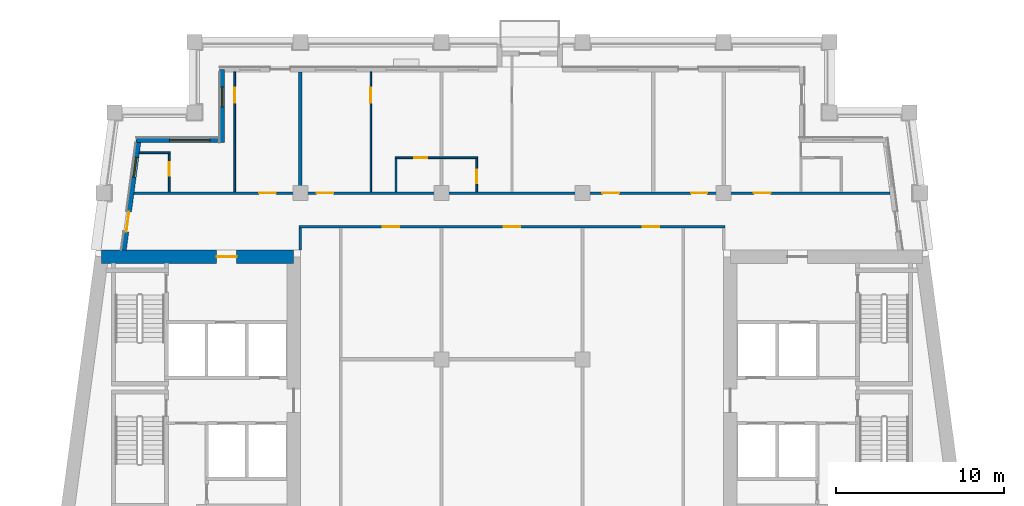
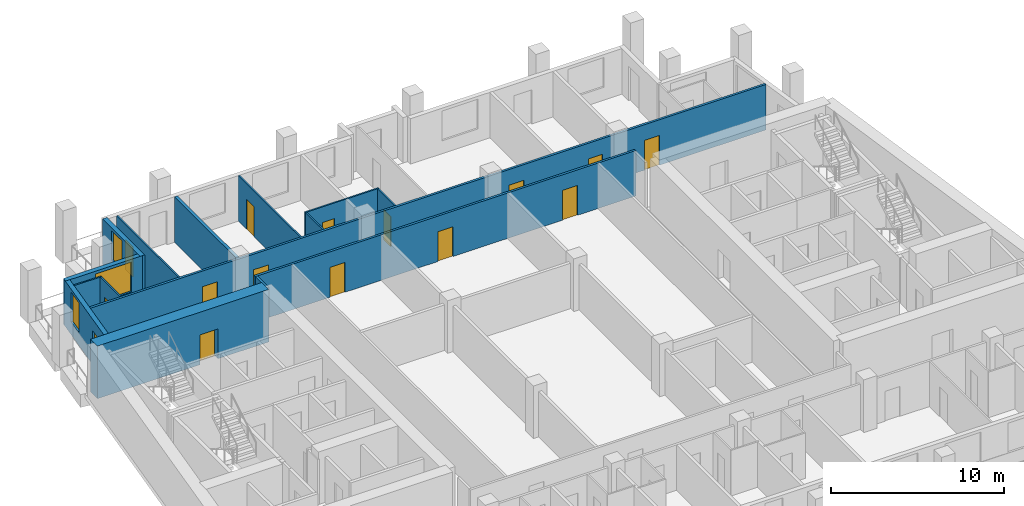
# One storey, part 6 of 13: 15 doors, 15 walls, 3 windows, 18 openings.
"""IFC4 building model written with IfcOpenShell, lengths in metres."""

from ifc_helpers import new_model, si_unit, direction, frame, frame_2d, origin, place, context, subcontext, project, spatial, rectangle, extrude, material, layer, layer_set, type_object, element, fill, save


model = new_model("IFC4")

# Units and contexts
model_context = context("Model", 3, precision=1e-05, world=origin(), true_north=direction((0.0, 1.0)))
body_context = subcontext(model_context, "Body", "Model", "MODEL_VIEW")
ifc_project = project(units=[si_unit("LENGTHUNIT", "METRE"), si_unit("AREAUNIT", "SQUARE_METRE"), si_unit("VOLUMEUNIT", "CUBIC_METRE"), si_unit("PLANEANGLEUNIT", "RADIAN"), si_unit("MASSUNIT", "GRAM", prefix="KILO")], contexts=[model_context])

# Site, building, storey
site_placement = place(None, origin())
site = spatial("IfcSite", under=ifc_project, at=site_placement, CompositionType="ELEMENT")
building_placement = place(site_placement, origin())
building = spatial("IfcBuilding", under=site, at=building_placement, Name="Candeia Pilgrim Tower and Theatre", CompositionType="ELEMENT")
storey_placement = place(building_placement, frame((0.0, 0.0, 242.89990234375)))
storey = spatial("IfcBuildingStorey", under=building, at=storey_placement, Name="L59", CompositionType="ELEMENT", Elevation=242.89990234375)

# Wall, opening, door
ifc_material_1 = material(Name="Concrete C50/60", Category="concrete")
ifc_layer_1 = layer(ifc_material_1, 0.800048828125)
ifc_layer_set_1 = layer_set([ifc_layer_1], Name="Core wall 800 C50/60")
wall_type_1 = type_object("IfcWallType", Name="Core wall 800 C50/60", PredefinedType="SHEAR", material=ifc_layer_set_1)
wall_1_placement = place(storey_placement, frame((88.98046875, 132.0, 0.0), z_axis=(0.0, 0.0, 1.0), x_axis=(1.0, 0.0, 0.0)))
wall_1 = element("IfcWall", 1, at=wall_1_placement, inside=storey, type_object=wall_type_1, Name="Core wall W1", PredefinedType="SHEAR", context=body_context, shape_type="SweptSolid", body=[
    extrude(rectangle(XDim=11.41943359375, YDim=0.800048828125, at=frame_2d((5.709716796875, 0.0))), origin(), (0.0, 0.0, 1.0), 3.7001953125),
])
opening_1_placement = place(wall_1_placement, frame((6.8330078125, 0.0, 0.0)))
opening_1 = element("IfcOpeningElement", 2, at=opening_1_placement, cuts=wall_1, Name="Opening L59-D057", PredefinedType="OPENING", context=body_context, shape_type="SweptSolid", body=[
    extrude(rectangle(XDim=1.199951171875, YDim=2.10009765625, at=frame_2d((0.60009765625, 1.050048828125))), frame((0.0, 0.41015625, 0.0), z_axis=(0.0, -1.0, 0.0), x_axis=(1.0, 0.0, 0.0)), (0.0, 0.0, 1.0), 0.820068359375),
])
ifc_material_2 = material(Name="Steel fire door set", Category="steel")
door_type_1 = type_object("IfcDoorType", Name="D-1200-FD60", OperationType="NOTDEFINED", PredefinedType="DOOR", material=ifc_material_2)
door_1_placement = place(opening_1_placement, origin())
door_1 = element("IfcDoor", 3, at=door_1_placement, inside=storey, type_object=door_type_1, Name="Door L59-D057", OperationType="SINGLE_SWING_RIGHT", OverallHeight=2.10009765625, OverallWidth=1.199951171875, PredefinedType="DOOR", context=body_context, shape_type="SweptSolid", body=[
    extrude(rectangle(XDim=1.199951171875, YDim=2.10009765625, at=frame_2d((0.60009765625, 1.050048828125))), frame((0.0, 0.02490234375, 0.0), z_axis=(0.0, -1.0, 0.0), x_axis=(1.0, 0.0, 0.0)), (0.0, 0.0, 1.0), 0.050048828125),
])
fill(opening_1, door_1)

# Wall, opening, window
ifc_material_3 = material(Name="Ceramic block masonry", Category="masonry")
ifc_layer_2 = layer(ifc_material_3, 0.300048828125)
ifc_layer_set_2 = layer_set([ifc_layer_2], Name="EW1 glazing-line wall 300")
wall_type_2 = type_object("IfcWallType", Name="EW1 glazing-line wall 300", PredefinedType="SOLIDWALL", material=ifc_layer_set_2)
wall_2_placement = place(storey_placement, frame((96.14990234375, 143.14990234375, 0.0), z_axis=(0.0, 0.0, 1.0), x_axis=(0.0, -1.0, 0.0)))
wall_2 = element("IfcWall", 4, at=wall_2_placement, inside=storey, type_object=wall_type_2, Name="External wall L59-7.0", PredefinedType="SOLIDWALL", context=body_context, shape_type="SweptSolid", body=[
    extrude(rectangle(XDim=4.349853515625, YDim=0.300048828125, at=frame_2d((2.1748046875, 0.0))), origin(), (0.0, 0.0, 1.0), 3.2001953125),
])
opening_2_placement = place(wall_2_placement, frame((1.02490234375, 0.0, 0.89990234375)))
opening_2 = element("IfcOpeningElement", 5, at=opening_2_placement, cuts=wall_2, Name="Opening W-B", PredefinedType="OPENING", context=body_context, shape_type="SweptSolid", body=[
    extrude(rectangle(XDim=1.199951171875, YDim=2.10009765625, at=frame_2d((0.60009765625, 1.050048828125))), frame((0.0, 0.16015625, 0.0), z_axis=(0.0, -1.0, 0.0), x_axis=(1.0, 0.0, 0.0)), (0.0, 0.0, 1.0), 0.320068359375),
])
ifc_material_4 = material(Name="Aluminium framed double glazing", Category="aluminium")
window_type_1 = type_object("IfcWindowType", Name="W-B window 1200x2100", PartitioningType="SINGLE_PANEL", PredefinedType="WINDOW", material=ifc_material_4)
window_1_placement = place(opening_2_placement, origin())
window_1 = element("IfcWindow", 6, at=window_1_placement, inside=storey, type_object=window_type_1, Name="Window W-B L59", OverallHeight=2.10009765625, OverallWidth=1.199951171875, PartitioningType="SINGLE_PANEL", PredefinedType="WINDOW", context=body_context, shape_type="SweptSolid", body=[
    extrude(rectangle(XDim=1.199951171875, YDim=2.10009765625, at=frame_2d((0.60009765625, 1.050048828125))), frame((0.0, 0.030029296875, 0.0), z_axis=(0.0, -1.0, 0.0), x_axis=(1.0, 0.0, 0.0)), (0.0, 0.0, 1.0), 0.06005859375),
])
fill(opening_2, window_1)

wall_3_placement = place(storey_placement, frame((96.14990234375, 138.949951171875, 0.0), z_axis=(0.0, 0.0, 1.0), x_axis=(-1.0, 0.0, 0.0)))
wall_3 = element("IfcWall", 7, at=wall_3_placement, inside=storey, type_object=wall_type_2, Name="External wall L59-8.0", PredefinedType="SOLIDWALL", context=body_context, shape_type="SweptSolid", body=[
    extrude(rectangle(XDim=5.103759765625, YDim=0.300048828125, at=frame_2d((2.5517578125, 0.0))), origin(), (0.0, 0.0, 1.0), 3.2001953125),
])
opening_3_placement = place(wall_3_placement, frame((0.72509765625, 0.0, 0.89990234375)))
opening_3 = element("IfcOpeningElement", 8, at=opening_3_placement, cuts=wall_3, Name="Opening W-A", PredefinedType="OPENING", context=body_context, shape_type="SweptSolid", body=[
    extrude(rectangle(XDim=2.39990234375, YDim=2.10009765625, at=frame_2d((1.199951171875, 1.050048828125))), frame((0.0, 0.16015625, 0.0), z_axis=(0.0, -1.0, 0.0), x_axis=(1.0, 0.0, 0.0)), (0.0, 0.0, 1.0), 0.320068359375),
])
window_type_2 = type_object("IfcWindowType", Name="W-A window 2400x2100", PartitioningType="DOUBLE_PANEL_VERTICAL", PredefinedType="WINDOW", material=ifc_material_4)
window_2_placement = place(opening_3_placement, origin())
window_2 = element("IfcWindow", 9, at=window_2_placement, inside=storey, type_object=window_type_2, Name="Window W-A L59", OverallHeight=2.10009765625, OverallWidth=2.39990234375, PartitioningType="SINGLE_PANEL", PredefinedType="WINDOW", context=body_context, shape_type="SweptSolid", body=[
    extrude(rectangle(XDim=2.39990234375, YDim=2.10009765625, at=frame_2d((1.199951171875, 1.050048828125))), frame((0.0, 0.030029296875, 0.0), z_axis=(0.0, -1.0, 0.0), x_axis=(1.0, 0.0, 0.0)), (0.0, 0.0, 1.0), 0.06005859375),
])
fill(opening_3, window_2)

# Wall, openings, door, window
wall_4_placement = place(storey_placement, frame((91.177490234375, 138.949951171875, 0.0), z_axis=(0.0, 0.0, 1.0), x_axis=(-0.133426664613, -0.991058689065, 0.0)))
wall_4 = element("IfcWall", 10, at=wall_4_placement, inside=storey, type_object=wall_type_2, Name="External wall L59-9.0", PredefinedType="SOLIDWALL", context=body_context, shape_type="SweptSolid", body=[
    extrude(rectangle(XDim=6.609130859375, YDim=0.300048828125, at=frame_2d((3.3046875, 0.0))), origin(), (0.0, 0.0, 1.0), 3.2001953125),
])
opening_4_placement = place(wall_4_placement, frame((1.039306640625, 0.0, 0.89990234375)))
opening_4 = element("IfcOpeningElement", 11, at=opening_4_placement, cuts=wall_4, Name="Opening W-B", PredefinedType="OPENING", context=body_context, shape_type="SweptSolid", body=[
    extrude(rectangle(XDim=1.199951171875, YDim=2.10009765625, at=frame_2d((0.60009765625, 1.050048828125))), frame((0.0, 0.16015625, 0.0), z_axis=(0.0, -1.0, 0.0), x_axis=(1.0, 0.0, 0.0)), (0.0, 0.0, 1.0), 0.320068359375),
])
opening_5_placement = place(wall_4_placement, frame((4.293701171875, 0.0, 0.0)))
opening_5 = element("IfcOpeningElement", 12, at=opening_5_placement, cuts=wall_4, Name="Opening L59-ED574", PredefinedType="OPENING", context=body_context, shape_type="SweptSolid", body=[
    extrude(rectangle(XDim=1.199951171875, YDim=2.39990234375, at=frame_2d((0.60009765625, 1.199951171875))), frame((0.0, 0.16015625, 0.0), z_axis=(0.0, -1.0, 0.0), x_axis=(1.0, 0.0, 0.0)), (0.0, 0.0, 1.0), 0.320068359375),
])
ifc_material_5 = material(Name="Aluminium framed glazed door", Category="aluminium")
door_type_2 = type_object("IfcDoorType", Name="Loggia door 1200x2400", OperationType="DOUBLE_DOOR_SINGLE_SWING", PredefinedType="DOOR", material=ifc_material_5)
door_2_placement = place(opening_5_placement, origin())
door_2 = element("IfcDoor", 13, at=door_2_placement, inside=storey, type_object=door_type_2, Name="Loggia door L59-ED574", OperationType="DOUBLE_DOOR_SINGLE_SWING", OverallHeight=2.39990234375, OverallWidth=1.199951171875, PredefinedType="DOOR", context=body_context, shape_type="SweptSolid", body=[
    extrude(rectangle(XDim=1.199951171875, YDim=2.39990234375, at=frame_2d((0.60009765625, 1.199951171875))), frame((0.0, 0.02490234375, 0.0), z_axis=(0.0, -1.0, 0.0), x_axis=(1.0, 0.0, 0.0)), (0.0, 0.0, 1.0), 0.050048828125),
])
fill(opening_5, door_2)
window_3_placement = place(opening_4_placement, origin())
window_3 = element("IfcWindow", 14, at=window_3_placement, inside=storey, type_object=window_type_1, Name="Window W-B L59", OverallHeight=2.10009765625, OverallWidth=1.199951171875, PartitioningType="SINGLE_PANEL", PredefinedType="WINDOW", context=body_context, shape_type="SweptSolid", body=[
    extrude(rectangle(XDim=1.199951171875, YDim=2.10009765625, at=frame_2d((0.60009765625, 1.050048828125))), frame((0.0, 0.030029296875, 0.0), z_axis=(0.0, -1.0, 0.0), x_axis=(1.0, 0.0, 0.0)), (0.0, 0.0, 1.0), 0.06005859375),
])
fill(opening_4, window_3)

# Wall, opening, door
ifc_material_6 = material(Name="Gypsum board partition on steel studs", Category="steel")
ifc_layer_3 = layer(ifc_material_6, 0.10009765625)
ifc_layer_set_3 = layer_set([ifc_layer_3], Name="PW-100 room partition")
wall_type_3 = type_object("IfcWallType", Name="PW-100 room partition", PredefinedType="PARTITIONING", material=ifc_layer_set_3)
wall_5_placement = place(storey_placement, frame((106.449951171875, 137.89990234375, 0.0), z_axis=(0.0, 0.0, 1.0), x_axis=(1.0, 0.0, 0.0)))
wall_5 = element("IfcWall", 15, at=wall_5_placement, inside=storey, type_object=wall_type_3, Name="Room partition L59-044", PredefinedType="PARTITIONING", context=body_context, shape_type="SweptSolid", body=[
    extrude(rectangle(XDim=4.900146484375, YDim=0.10009765625, at=frame_2d((2.4501953125, 0.0))), origin(), (0.0, 0.0, 1.0), 3.2001953125),
])
opening_6_placement = place(wall_5_placement, frame((1.1201171875, 0.0, 0.0)))
opening_6 = element("IfcOpeningElement", 16, at=opening_6_placement, cuts=wall_5, Name="Opening L59-D041", PredefinedType="OPENING", context=body_context, shape_type="SweptSolid", body=[
    extrude(rectangle(XDim=0.800048828125, YDim=2.10009765625, at=frame_2d((0.39990234375, 1.050048828125))), frame((0.0, 0.06005859375, 0.0), z_axis=(0.0, -1.0, 0.0), x_axis=(1.0, 0.0, 0.0)), (0.0, 0.0, 1.0), 0.1201171875),
])
ifc_material_7 = material(Name="Timber door leaf", Category="wood")
door_type_3 = type_object("IfcDoorType", Name="D-800", OperationType="NOTDEFINED", PredefinedType="DOOR", material=ifc_material_7)
door_3_placement = place(opening_6_placement, origin())
door_3 = element("IfcDoor", 17, at=door_3_placement, inside=storey, type_object=door_type_3, Name="Door L59-D041", OperationType="SINGLE_SWING_RIGHT", OverallHeight=2.10009765625, OverallWidth=0.800048828125, PredefinedType="DOOR", context=body_context, shape_type="SweptSolid", body=[
    extrude(rectangle(XDim=0.800048828125, YDim=2.10009765625, at=frame_2d((0.39990234375, 1.050048828125))), frame((0.0, 0.02490234375, 0.0), z_axis=(0.0, -1.0, 0.0), x_axis=(1.0, 0.0, 0.0)), (0.0, 0.0, 1.0), 0.050048828125),
])
fill(opening_6, door_3)

# Wall
wall_6_placement = place(storey_placement, frame((91.2177734375, 138.199951171875, 0.0), z_axis=(0.0, 0.0, 1.0), x_axis=(1.0, 0.0, 0.0)))
element("IfcWall", 18, at=wall_6_placement, inside=storey, type_object=wall_type_3, Name="Room partition L59-046", PredefinedType="PARTITIONING", context=body_context, shape_type="SweptSolid", body=[
    extrude(rectangle(XDim=1.832275390625, YDim=0.10009765625, at=frame_2d((0.916015625, 0.0))), origin(), (0.0, 0.0, 1.0), 3.2001953125),
])

# Wall, opening, door
wall_7_placement = place(storey_placement, frame((93.0, 135.875, 0.0), z_axis=(0.0, 0.0, 1.0), x_axis=(0.0, 1.0, 0.0)))
wall_7 = element("IfcWall", 19, at=wall_7_placement, inside=storey, type_object=wall_type_3, Name="Room partition L59-059", PredefinedType="PARTITIONING", context=body_context, shape_type="SweptSolid", body=[
    extrude(rectangle(XDim=2.27490234375, YDim=0.10009765625, at=frame_2d((1.137451171875, 0.0))), origin(), (0.0, 0.0, 1.0), 3.2001953125),
])
opening_7_placement = place(wall_7_placement, frame((0.949951171875, 0.0, 0.0)))
opening_7 = element("IfcOpeningElement", 20, at=opening_7_placement, cuts=wall_7, Name="Opening L59-D038", PredefinedType="OPENING", context=body_context, shape_type="SweptSolid", body=[
    extrude(rectangle(XDim=0.800048828125, YDim=2.10009765625, at=frame_2d((0.39990234375, 1.050048828125))), frame((0.0, 0.06005859375, 0.0), z_axis=(0.0, -1.0, 0.0), x_axis=(1.0, 0.0, 0.0)), (0.0, 0.0, 1.0), 0.1201171875),
])
door_4_placement = place(opening_7_placement, origin())
door_4 = element("IfcDoor", 21, at=door_4_placement, inside=storey, type_object=door_type_3, Name="Door L59-D038", OperationType="SINGLE_SWING_LEFT", OverallHeight=2.10009765625, OverallWidth=0.800048828125, PredefinedType="DOOR", context=body_context, shape_type="SweptSolid", body=[
    extrude(rectangle(XDim=0.800048828125, YDim=2.10009765625, at=frame_2d((0.39990234375, 1.050048828125))), frame((0.0, 0.02490234375, 0.0), z_axis=(0.0, -1.0, 0.0), x_axis=(1.0, 0.0, 0.0)), (0.0, 0.0, 1.0), 0.050048828125),
])
fill(opening_7, door_4)

wall_8_placement = place(storey_placement, frame((96.89990234375, 135.875, 0.0), z_axis=(0.0, 0.0, 1.0), x_axis=(0.0, 1.0, 0.0)))
wall_8 = element("IfcWall", 22, at=wall_8_placement, inside=storey, type_object=wall_type_3, Name="Room partition L59-064", PredefinedType="PARTITIONING", context=body_context, shape_type="SweptSolid", body=[
    extrude(rectangle(XDim=7.135009765625, YDim=0.10009765625, at=frame_2d((3.5673828125, 0.0))), origin(), (0.0, 0.0, 1.0), 3.2001953125),
])
opening_8_placement = place(wall_8_placement, frame((5.2900390625, 0.0, 0.0)))
opening_8 = element("IfcOpeningElement", 23, at=opening_8_placement, cuts=wall_8, Name="Opening L59-D037", PredefinedType="OPENING", context=body_context, shape_type="SweptSolid", body=[
    extrude(rectangle(XDim=0.89990234375, YDim=2.10009765625, at=frame_2d((0.449951171875, 1.050048828125))), frame((0.0, 0.06005859375, 0.0), z_axis=(0.0, -1.0, 0.0), x_axis=(1.0, 0.0, 0.0)), (0.0, 0.0, 1.0), 0.1201171875),
])
door_type_4 = type_object("IfcDoorType", Name="D-900", OperationType="NOTDEFINED", PredefinedType="DOOR", material=ifc_material_7)
door_5_placement = place(opening_8_placement, origin())
door_5 = element("IfcDoor", 24, at=door_5_placement, inside=storey, type_object=door_type_4, Name="Door L59-D037", OperationType="SINGLE_SWING_RIGHT", OverallHeight=2.10009765625, OverallWidth=0.89990234375, PredefinedType="DOOR", context=body_context, shape_type="SweptSolid", body=[
    extrude(rectangle(XDim=0.89990234375, YDim=2.10009765625, at=frame_2d((0.449951171875, 1.050048828125))), frame((0.0, 0.02490234375, 0.0), z_axis=(0.0, -1.0, 0.0), x_axis=(1.0, 0.0, 0.0)), (0.0, 0.0, 1.0), 0.050048828125),
])
fill(opening_8, door_5)

wall_9_placement = place(storey_placement, frame((105.0, 135.875, 0.0), z_axis=(0.0, 0.0, 1.0), x_axis=(0.0, 1.0, 0.0)))
wall_9 = element("IfcWall", 25, at=wall_9_placement, inside=storey, type_object=wall_type_3, Name="Room partition L59-075", PredefinedType="PARTITIONING", context=body_context, shape_type="SweptSolid", body=[
    extrude(rectangle(XDim=7.135009765625, YDim=0.10009765625, at=frame_2d((3.5673828125, 0.0))), origin(), (0.0, 0.0, 1.0), 3.2001953125),
])
opening_9_placement = place(wall_9_placement, frame((5.2900390625, 0.0, 0.0)))
opening_9 = element("IfcOpeningElement", 26, at=opening_9_placement, cuts=wall_9, Name="Opening L59-D040", PredefinedType="OPENING", context=body_context, shape_type="SweptSolid", body=[
    extrude(rectangle(XDim=0.89990234375, YDim=2.10009765625, at=frame_2d((0.449951171875, 1.050048828125))), frame((0.0, 0.06005859375, 0.0), z_axis=(0.0, -1.0, 0.0), x_axis=(1.0, 0.0, 0.0)), (0.0, 0.0, 1.0), 0.1201171875),
])
door_6_placement = place(opening_9_placement, origin())
door_6 = element("IfcDoor", 27, at=door_6_placement, inside=storey, type_object=door_type_4, Name="Door L59-D040", OperationType="SINGLE_SWING_LEFT", OverallHeight=2.10009765625, OverallWidth=0.89990234375, PredefinedType="DOOR", context=body_context, shape_type="SweptSolid", body=[
    extrude(rectangle(XDim=0.89990234375, YDim=2.10009765625, at=frame_2d((0.449951171875, 1.050048828125))), frame((0.0, 0.02490234375, 0.0), z_axis=(0.0, -1.0, 0.0), x_axis=(1.0, 0.0, 0.0)), (0.0, 0.0, 1.0), 0.050048828125),
])
fill(opening_9, door_6)

# Wall
wall_10_placement = place(storey_placement, frame((106.5, 135.875, 0.0), z_axis=(0.0, 0.0, 1.0), x_axis=(0.0, 1.0, 0.0)))
element("IfcWall", 28, at=wall_10_placement, inside=storey, type_object=wall_type_3, Name="Room partition L59-077", PredefinedType="PARTITIONING", context=body_context, shape_type="SweptSolid", body=[
    extrude(rectangle(XDim=1.97509765625, YDim=0.10009765625, at=frame_2d((0.987548828125, 0.0))), origin(), (0.0, 0.0, 1.0), 3.2001953125),
])

# Wall, opening, door
wall_11_placement = place(storey_placement, frame((111.300048828125, 135.875, 0.0), z_axis=(0.0, 0.0, 1.0), x_axis=(0.0, 1.0, 0.0)))
wall_11 = element("IfcWall", 29, at=wall_11_placement, inside=storey, type_object=wall_type_3, Name="Room partition L59-083", PredefinedType="PARTITIONING", context=body_context, shape_type="SweptSolid", body=[
    extrude(rectangle(XDim=1.97509765625, YDim=0.10009765625, at=frame_2d((0.987548828125, 0.0))), origin(), (0.0, 0.0, 1.0), 3.2001953125),
])
opening_10_placement = place(wall_11_placement, frame((0.514892578125, 0.0, 0.0)))
opening_10 = element("IfcOpeningElement", 30, at=opening_10_placement, cuts=wall_11, Name="Opening L59-D044", PredefinedType="OPENING", context=body_context, shape_type="SweptSolid", body=[
    extrude(rectangle(XDim=0.800048828125, YDim=2.10009765625, at=frame_2d((0.39990234375, 1.050048828125))), frame((0.0, 0.06005859375, 0.0), z_axis=(0.0, -1.0, 0.0), x_axis=(1.0, 0.0, 0.0)), (0.0, 0.0, 1.0), 0.1201171875),
])
door_7_placement = place(opening_10_placement, origin())
door_7 = element("IfcDoor", 31, at=door_7_placement, inside=storey, type_object=door_type_3, Name="Door L59-D044", OperationType="SINGLE_SWING_LEFT", OverallHeight=2.10009765625, OverallWidth=0.800048828125, PredefinedType="DOOR", context=body_context, shape_type="SweptSolid", body=[
    extrude(rectangle(XDim=0.800048828125, YDim=2.10009765625, at=frame_2d((0.39990234375, 1.050048828125))), frame((0.0, 0.02490234375, 0.0), z_axis=(0.0, -1.0, 0.0), x_axis=(1.0, 0.0, 0.0)), (0.0, 0.0, 1.0), 0.050048828125),
])
fill(opening_10, door_7)

# Wall, openings, doors
ifc_layer_4 = layer(ifc_material_6, 0.14990234375)
ifc_layer_set_4 = layer_set([ifc_layer_4], Name="PW-150 unit wall")
wall_type_4 = type_object("IfcWallType", Name="PW-150 unit wall", PredefinedType="PARTITIONING", material=ifc_layer_set_4)
wall_12_placement = place(storey_placement, frame((100.72509765625, 133.800048828125, 0.0), z_axis=(0.0, 0.0, 1.0), x_axis=(1.0, 0.0, 0.0)))
wall_12 = element("IfcWall", 32, at=wall_12_placement, inside=storey, type_object=wall_type_4, Name="Unit wall L59-042", PredefinedType="PARTITIONING", context=body_context, shape_type="SweptSolid", body=[
    extrude(rectangle(XDim=25.349853515625, YDim=0.14990234375, at=frame_2d((12.6748046875, 0.0))), origin(), (0.0, 0.0, 1.0), 3.2001953125),
])
opening_11_placement = place(wall_12_placement, frame((4.97509765625, 0.0, 0.0)))
opening_11 = element("IfcOpeningElement", 33, at=opening_11_placement, cuts=wall_12, Name="Opening L59-D051", PredefinedType="OPENING", context=body_context, shape_type="SweptSolid", body=[
    extrude(rectangle(XDim=1.0, YDim=2.10009765625, at=frame_2d((0.5, 1.050048828125))), frame((0.0, 0.0849609375, 0.0), z_axis=(0.0, -1.0, 0.0), x_axis=(1.0, 0.0, 0.0)), (0.0, 0.0, 1.0), 0.169921875),
])
opening_12_placement = place(wall_12_placement, frame((12.175048828125, 0.0, 0.0)))
opening_12 = element("IfcOpeningElement", 34, at=opening_12_placement, cuts=wall_12, Name="Opening L59-D053", PredefinedType="OPENING", context=body_context, shape_type="SweptSolid", body=[
    extrude(rectangle(XDim=1.0, YDim=2.10009765625, at=frame_2d((0.5, 1.050048828125))), frame((0.0, 0.0849609375, 0.0), z_axis=(0.0, -1.0, 0.0), x_axis=(1.0, 0.0, 0.0)), (0.0, 0.0, 1.0), 0.169921875),
])
opening_13_placement = place(wall_12_placement, frame((20.449951171875, 0.0, 0.0)))
opening_13 = element("IfcOpeningElement", 35, at=opening_13_placement, cuts=wall_12, Name="Opening L59-D055", PredefinedType="OPENING", context=body_context, shape_type="SweptSolid", body=[
    extrude(rectangle(XDim=1.0, YDim=2.10009765625, at=frame_2d((0.5, 1.050048828125))), frame((0.0, 0.0849609375, 0.0), z_axis=(0.0, -1.0, 0.0), x_axis=(1.0, 0.0, 0.0)), (0.0, 0.0, 1.0), 0.169921875),
])
door_type_5 = type_object("IfcDoorType", Name="D-1000-FD30S", OperationType="NOTDEFINED", PredefinedType="DOOR", material=ifc_material_2)
door_8_placement = place(opening_11_placement, origin())
door_8 = element("IfcDoor", 36, at=door_8_placement, inside=storey, type_object=door_type_5, Name="Door L59-D051", OperationType="SINGLE_SWING_RIGHT", OverallHeight=2.10009765625, OverallWidth=1.0, PredefinedType="DOOR", context=body_context, shape_type="SweptSolid", body=[
    extrude(rectangle(XDim=1.0, YDim=2.10009765625, at=frame_2d((0.5, 1.050048828125))), frame((0.0, 0.02490234375, 0.0), z_axis=(0.0, -1.0, 0.0), x_axis=(1.0, 0.0, 0.0)), (0.0, 0.0, 1.0), 0.050048828125),
])
fill(opening_11, door_8)
door_9_placement = place(opening_12_placement, origin())
door_9 = element("IfcDoor", 37, at=door_9_placement, inside=storey, type_object=door_type_5, Name="Door L59-D053", OperationType="SINGLE_SWING_RIGHT", OverallHeight=2.10009765625, OverallWidth=1.0, PredefinedType="DOOR", context=body_context, shape_type="SweptSolid", body=[
    extrude(rectangle(XDim=1.0, YDim=2.10009765625, at=frame_2d((0.5, 1.050048828125))), frame((0.0, 0.02490234375, 0.0), z_axis=(0.0, -1.0, 0.0), x_axis=(1.0, 0.0, 0.0)), (0.0, 0.0, 1.0), 0.050048828125),
])
fill(opening_12, door_9)
door_10_placement = place(opening_13_placement, origin())
door_10 = element("IfcDoor", 38, at=door_10_placement, inside=storey, type_object=door_type_5, Name="Door L59-D055", OperationType="SINGLE_SWING_RIGHT", OverallHeight=2.10009765625, OverallWidth=1.0, PredefinedType="DOOR", context=body_context, shape_type="SweptSolid", body=[
    extrude(rectangle(XDim=1.0, YDim=2.10009765625, at=frame_2d((0.5, 1.050048828125))), frame((0.0, 0.02490234375, 0.0), z_axis=(0.0, -1.0, 0.0), x_axis=(1.0, 0.0, 0.0)), (0.0, 0.0, 1.0), 0.050048828125),
])
fill(opening_13, door_10)

wall_13_placement = place(storey_placement, frame((90.89453125, 135.800048828125, 0.0), z_axis=(0.0, 0.0, 1.0), x_axis=(1.0, 0.0, 0.0)))
wall_13 = element("IfcWall", 39, at=wall_13_placement, inside=storey, type_object=wall_type_4, Name="Unit wall L59-043", PredefinedType="PARTITIONING", context=body_context, shape_type="SweptSolid", body=[
    extrude(rectangle(XDim=45.010986328125, YDim=0.14990234375, at=frame_2d((22.50537109375, 0.0))), origin(), (0.0, 0.0, 1.0), 3.2001953125),
])
opening_14_placement = place(wall_13_placement, frame((7.455322265625, 0.0, 0.0)))
opening_14 = element("IfcOpeningElement", 40, at=opening_14_placement, cuts=wall_13, Name="Opening L59-D036", PredefinedType="OPENING", context=body_context, shape_type="SweptSolid", body=[
    extrude(rectangle(XDim=1.0, YDim=2.10009765625, at=frame_2d((0.5, 1.050048828125))), frame((0.0, 0.0849609375, 0.0), z_axis=(0.0, -1.0, 0.0), x_axis=(1.0, 0.0, 0.0)), (0.0, 0.0, 1.0), 0.169921875),
])
opening_15_placement = place(wall_13_placement, frame((10.88037109375, 0.0, 0.0)))
opening_15 = element("IfcOpeningElement", 41, at=opening_15_placement, cuts=wall_13, Name="Opening L59-D039", PredefinedType="OPENING", context=body_context, shape_type="SweptSolid", body=[
    extrude(rectangle(XDim=1.0, YDim=2.10009765625, at=frame_2d((0.5, 1.050048828125))), frame((0.0, 0.0849609375, 0.0), z_axis=(0.0, -1.0, 0.0), x_axis=(1.0, 0.0, 0.0)), (0.0, 0.0, 1.0), 0.169921875),
])
opening_16_placement = place(wall_13_placement, frame((27.88037109375, 0.0, 0.0)))
opening_16 = element("IfcOpeningElement", 42, at=opening_16_placement, cuts=wall_13, Name="Opening L59-D042", PredefinedType="OPENING", context=body_context, shape_type="SweptSolid", body=[
    extrude(rectangle(XDim=1.0, YDim=2.10009765625, at=frame_2d((0.5, 1.050048828125))), frame((0.0, 0.0849609375, 0.0), z_axis=(0.0, -1.0, 0.0), x_axis=(1.0, 0.0, 0.0)), (0.0, 0.0, 1.0), 0.169921875),
])
opening_17_placement = place(wall_13_placement, frame((33.16845703125, 0.0, 0.0)))
opening_17 = element("IfcOpeningElement", 43, at=opening_17_placement, cuts=wall_13, Name="Opening L59-D045", PredefinedType="OPENING", context=body_context, shape_type="SweptSolid", body=[
    extrude(rectangle(XDim=0.949951171875, YDim=2.10009765625, at=frame_2d((0.47509765625, 1.050048828125))), frame((0.0, 0.0849609375, 0.0), z_axis=(0.0, -1.0, 0.0), x_axis=(1.0, 0.0, 0.0)), (0.0, 0.0, 1.0), 0.169921875),
])
opening_18_placement = place(wall_13_placement, frame((36.905517578125, 0.0, 0.0)))
opening_18 = element("IfcOpeningElement", 44, at=opening_18_placement, cuts=wall_13, Name="Opening L59-D046", PredefinedType="OPENING", context=body_context, shape_type="SweptSolid", body=[
    extrude(rectangle(XDim=1.0, YDim=2.10009765625, at=frame_2d((0.5, 1.050048828125))), frame((0.0, 0.0849609375, 0.0), z_axis=(0.0, -1.0, 0.0), x_axis=(1.0, 0.0, 0.0)), (0.0, 0.0, 1.0), 0.169921875),
])
door_11_placement = place(opening_14_placement, origin())
door_11 = element("IfcDoor", 45, at=door_11_placement, inside=storey, type_object=door_type_5, Name="Door L59-D036", OperationType="SINGLE_SWING_LEFT", OverallHeight=2.10009765625, OverallWidth=1.0, PredefinedType="DOOR", context=body_context, shape_type="SweptSolid", body=[
    extrude(rectangle(XDim=1.0, YDim=2.10009765625, at=frame_2d((0.5, 1.050048828125))), frame((0.0, 0.02490234375, 0.0), z_axis=(0.0, -1.0, 0.0), x_axis=(1.0, 0.0, 0.0)), (0.0, 0.0, 1.0), 0.050048828125),
])
fill(opening_14, door_11)
door_12_placement = place(opening_15_placement, origin())
door_12 = element("IfcDoor", 46, at=door_12_placement, inside=storey, type_object=door_type_5, Name="Door L59-D039", OperationType="SINGLE_SWING_RIGHT", OverallHeight=2.10009765625, OverallWidth=1.0, PredefinedType="DOOR", context=body_context, shape_type="SweptSolid", body=[
    extrude(rectangle(XDim=1.0, YDim=2.10009765625, at=frame_2d((0.5, 1.050048828125))), frame((0.0, 0.02490234375, 0.0), z_axis=(0.0, -1.0, 0.0), x_axis=(1.0, 0.0, 0.0)), (0.0, 0.0, 1.0), 0.050048828125),
])
fill(opening_15, door_12)
door_13_placement = place(opening_16_placement, origin())
door_13 = element("IfcDoor", 47, at=door_13_placement, inside=storey, type_object=door_type_5, Name="Door L59-D042", OperationType="SINGLE_SWING_LEFT", OverallHeight=2.10009765625, OverallWidth=1.0, PredefinedType="DOOR", context=body_context, shape_type="SweptSolid", body=[
    extrude(rectangle(XDim=1.0, YDim=2.10009765625, at=frame_2d((0.5, 1.050048828125))), frame((0.0, 0.02490234375, 0.0), z_axis=(0.0, -1.0, 0.0), x_axis=(1.0, 0.0, 0.0)), (0.0, 0.0, 1.0), 0.050048828125),
])
fill(opening_16, door_13)
door_14_placement = place(opening_18_placement, origin())
door_14 = element("IfcDoor", 48, at=door_14_placement, inside=storey, type_object=door_type_5, Name="Door L59-D046", OperationType="SINGLE_SWING_LEFT", OverallHeight=2.10009765625, OverallWidth=1.0, PredefinedType="DOOR", context=body_context, shape_type="SweptSolid", body=[
    extrude(rectangle(XDim=1.0, YDim=2.10009765625, at=frame_2d((0.5, 1.050048828125))), frame((0.0, 0.02490234375, 0.0), z_axis=(0.0, -1.0, 0.0), x_axis=(1.0, 0.0, 0.0)), (0.0, 0.0, 1.0), 0.050048828125),
])
fill(opening_18, door_14)
door_type_6 = type_object("IfcDoorType", Name="D-950-FD30S", OperationType="NOTDEFINED", PredefinedType="DOOR", material=ifc_material_2)
door_15_placement = place(opening_17_placement, origin())
door_15 = element("IfcDoor", 49, at=door_15_placement, inside=storey, type_object=door_type_6, Name="Door L59-D045", OperationType="SINGLE_SWING_RIGHT", OverallHeight=2.10009765625, OverallWidth=0.949951171875, PredefinedType="DOOR", context=body_context, shape_type="SweptSolid", body=[
    extrude(rectangle(XDim=0.949951171875, YDim=2.10009765625, at=frame_2d((0.47509765625, 1.050048828125))), frame((0.0, 0.02490234375, 0.0), z_axis=(0.0, -1.0, 0.0), x_axis=(1.0, 0.0, 0.0)), (0.0, 0.0, 1.0), 0.050048828125),
])
fill(opening_17, door_15)

# Walls
wall_14_placement = place(storey_placement, frame((100.800048828125, 132.39990234375, 0.0), z_axis=(0.0, 0.0, 1.0), x_axis=(0.0, 1.0, 0.0)))
element("IfcWall", 50, at=wall_14_placement, inside=storey, type_object=wall_type_4, Name="Unit wall L59-072", PredefinedType="PARTITIONING", context=body_context, shape_type="SweptSolid", body=[
    extrude(rectangle(XDim=1.3251953125, YDim=0.14990234375, at=frame_2d((0.66259765625, 0.0))), origin(), (0.0, 0.0, 1.0), 3.2001953125),
])
ifc_layer_5 = layer(ifc_material_6, 0.199951171875)
ifc_layer_set_5 = layer_set([ifc_layer_5], Name="PW-200 party wall")
wall_type_5 = type_object("IfcWallType", Name="PW-200 party wall", PredefinedType="PARTITIONING", material=ifc_layer_set_5)
wall_15_placement = place(storey_placement, frame((100.800048828125, 135.875, 0.0), z_axis=(0.0, 0.0, 1.0), x_axis=(0.0, 1.0, 0.0)))
element("IfcWall", 51, at=wall_15_placement, inside=storey, type_object=wall_type_5, Name="Party wall L59-070", PredefinedType="PARTITIONING", context=body_context, shape_type="SweptSolid", body=[
    extrude(rectangle(XDim=7.135009765625, YDim=0.199951171875, at=frame_2d((3.5673828125, 0.0))), origin(), (0.0, 0.0, 1.0), 3.2001953125),
])

save(model, "model.ifc")
